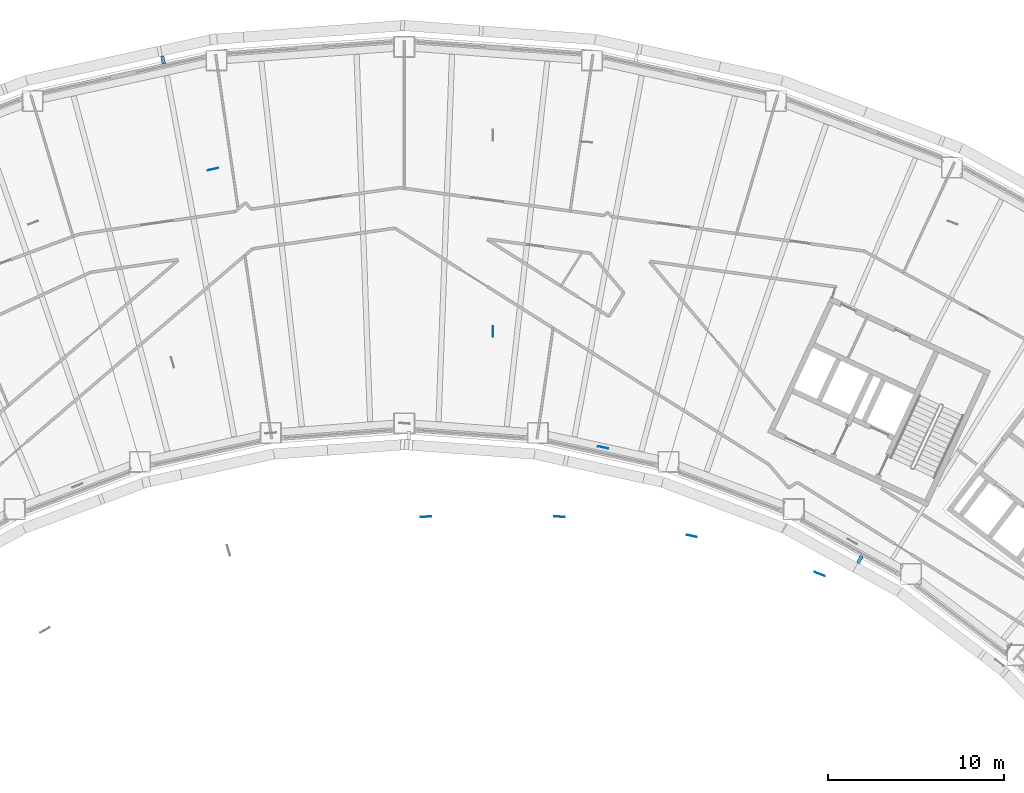
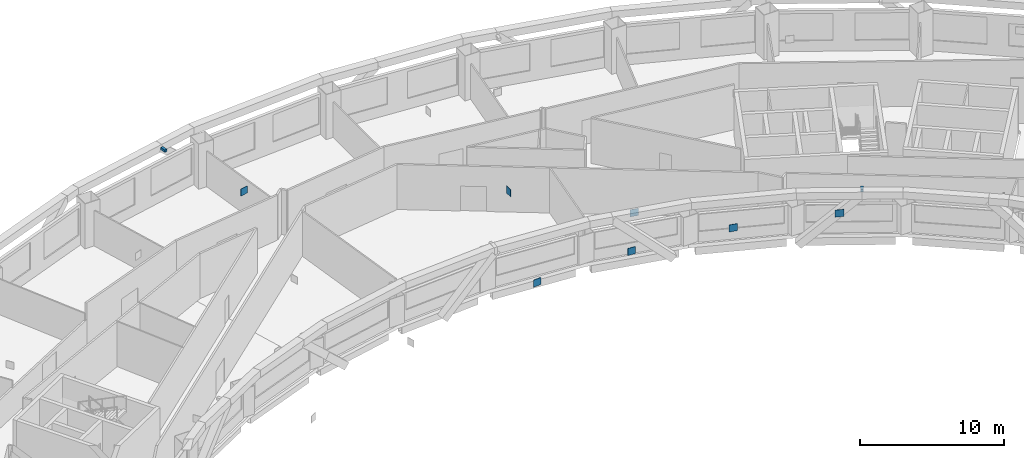
# One storey, part 12 of 19: 9 discrete accessories.
"""IFC4 building model written with IfcOpenShell, lengths in metres."""

import ifcopenshell
import ifcopenshell.guid

model = None  # the IFC model being written
_history = None  # IfcOwnerHistory: only IFC2X3 demands one
_inside = {}  # id of a spatial element -> (the spatial element, [elements in it])
_under = {}  # id of a project, library or spatial element -> (it, [spatial elements below it])
_declared = {}  # id of a project -> (the project, [libraries it declares])
_typed = {}  # id of a type object -> (the type object, [elements of that type])
_made_of = {}  # id of a material, layer set ... -> (it, [elements and type objects made of it])


def new_model(schema):
    """Start an empty IFC model of exactly this schema.

    Asked for "IFC4X3", IfcOpenShell would pick the latest addendum, in which some entities
    have other attributes; the version numbers below select the first issue.
    IFC2X3 requires an IfcOwnerHistory on every rooted entity: one is made here for all.
    """
    global model, _history
    if schema == "IFC4X3":
        model = ifcopenshell.file(schema_version=(4, 3, 0, 0))
    else:
        model = ifcopenshell.file(schema=schema)
    _inside.clear()
    _under.clear()
    _declared.clear()
    _typed.clear()
    _made_of.clear()
    _history = None
    if model.schema == "IFC2X3":
        org = make("IfcOrganization", Name="unknown")
        user = make(
            "IfcPersonAndOrganization",
            ThePerson=make("IfcPerson", FamilyName="unknown"),
            TheOrganization=org,
        )
        app = make(
            "IfcApplication",
            ApplicationDeveloper=org,
            Version="unknown",
            ApplicationFullName="unknown",
            ApplicationIdentifier="unknown",
        )
        _history = make(
            "IfcOwnerHistory",
            OwningUser=user,
            OwningApplication=app,
            ChangeAction="ADDED",
            CreationDate=0,
        )
    return model


def make(cls, **values):
    """One entity of the class cls with the attributes given. An attribute that is None is left unset."""
    return model.create_entity(
        cls, **{name: value for name, value in values.items() if value is not None}
    )


def rooted(cls, **values):
    """An entity with a GlobalId (a new one), such as an element, a storey or a relation."""
    return make(cls, GlobalId=ifcopenshell.guid.new(), OwnerHistory=_history, **values)


def si_unit(unit_type, name, prefix=None):
    """IfcSIUnit, for example si_unit("LENGTHUNIT", "METRE", prefix="MILLI")."""
    return make("IfcSIUnit", UnitType=unit_type, Prefix=prefix, Name=name)


def assignment(units):
    """IfcUnitAssignment: the units of a project."""
    return None if units is None else make("IfcUnitAssignment", Units=units)


def point(xyz):
    """IfcCartesianPoint."""
    return None if xyz is None else make("IfcCartesianPoint", Coordinates=xyz)


def direction(xyz):
    """IfcDirection."""
    return None if xyz is None else make("IfcDirection", DirectionRatios=xyz)


def frame(location, z_axis=None, x_axis=None):
    """IfcAxis2Placement3D, a coordinate frame: its origin and axes. An axis left out is left unset."""
    return make(
        "IfcAxis2Placement3D",
        Location=point(location),
        Axis=direction(z_axis),
        RefDirection=direction(x_axis),
    )


def frame_2d(location, x_axis=None):
    """IfcAxis2Placement2D, a coordinate frame in the plane: its origin and x axis."""
    return make(
        "IfcAxis2Placement2D", Location=point(location), RefDirection=direction(x_axis)
    )


def origin():
    """The frame at (0, 0, 0) with its axes left unset."""
    return frame((0.0, 0.0, 0.0))


def origin_2d():
    """The frame at (0, 0) in the plane with its x axis left unset."""
    return frame_2d((0.0, 0.0))


def place(relative_to, where):
    """IfcLocalPlacement: puts the frame where relative to a parent placement (None: the world)."""
    return make(
        "IfcLocalPlacement", PlacementRelTo=relative_to, RelativePlacement=where
    )


def context(
    kind, dimensions, precision=None, world=None, true_north=None, identifier=None
):
    """IfcGeometricRepresentationContext, for example the 3D "Model" context."""
    return make(
        "IfcGeometricRepresentationContext",
        ContextIdentifier=identifier,
        ContextType=kind,
        CoordinateSpaceDimension=dimensions,
        Precision=precision,
        WorldCoordinateSystem=world,
        TrueNorth=true_north,
    )


def subcontext(parent, identifier, kind, view, scale=None):
    """IfcGeometricRepresentationSubContext, for example "Body" below "Model"."""
    return make(
        "IfcGeometricRepresentationSubContext",
        ContextIdentifier=identifier,
        ContextType=kind,
        ParentContext=parent,
        TargetScale=scale,
        TargetView=view,
    )


def project(units=None, contexts=None):
    """IfcProject with its units and contexts."""
    return rooted(
        "IfcProject",
        Name="project",
        RepresentationContexts=contexts,
        UnitsInContext=assignment(units),
    )


def spatial(cls, under=None, at=None, **own):
    """A site, building, storey or space (cls), placed at a placement, below another one or the project."""
    s = rooted(cls, ObjectPlacement=at, **own)
    if under is not None:
        _under.setdefault(under.id(), (under, []))[1].append(s)
    return s


def profile(cls, at=None, kind="AREA", **sizes):
    """A parametric profile (cls). Its sizes go by their IFC names, for example OverallWidth=200.0."""
    return make(cls, ProfileType=kind, Position=at, **sizes)


def rectangle(**sizes):
    """IfcRectangleProfileDef."""
    return profile("IfcRectangleProfileDef", **sizes)


def extrude(swept, where, along, depth):
    """IfcExtrudedAreaSolid: the profile swept, set in the frame where, extruded along a direction by depth."""
    return make(
        "IfcExtrudedAreaSolid",
        SweptArea=swept,
        Position=where,
        ExtrudedDirection=direction(along),
        Depth=depth,
    )


def shape(context_of_items, identifier, shape_type, items):
    """IfcShapeRepresentation: the items that make up one representation, for example the "Body"."""
    return make(
        "IfcShapeRepresentation",
        ContextOfItems=context_of_items,
        RepresentationIdentifier=identifier,
        RepresentationType=shape_type,
        Items=items,
    )


def material(Name=None, Category=None):
    """IfcMaterial."""
    return make("IfcMaterial", Name=Name, Category=Category)


def made_of(thing, what):
    """Note that an element or type object is made of a material, layer set ...; save() writes the relation."""
    if what is not None:
        _made_of.setdefault(what.id(), (what, []))[1].append(thing)
    return thing


def type_object(cls, material=None, **own):
    """A type object (cls), such as IfcWallType, which elements share."""
    return made_of(rooted(cls, **own), material)


def element(
    cls,
    number,
    at=None,
    inside=None,
    cuts=None,
    type_object=None,
    material=None,
    context=None,
    identifier="Body",
    shape_type=None,
    held_by="IfcProductDefinitionShape",
    body=None,
    shapes=None,
    **own,
):
    """One element of the class cls, such as IfcWall. Its Tag is "e" and its number.

    at: its placement. inside: the storey or other place that contains it. cuts: it is an
    opening in that element (IfcRelVoidsElement). A single representation is given by context,
    identifier, shape_type and body (its items); several are given by shapes. held_by: the class
    of the entity that holds the representations. save() writes the other relations.
    """
    e = rooted(cls, Tag="e%d" % number, ObjectPlacement=at, **own)
    if body is not None:
        shapes = [shape(context, identifier, shape_type, body)]
    if shapes is not None:
        e.Representation = make(held_by, Representations=shapes)
    if inside is not None:
        _inside.setdefault(inside.id(), (inside, []))[1].append(e)
    if cuts is not None:
        rooted(
            "IfcRelVoidsElement", RelatingBuildingElement=cuts, RelatedOpeningElement=e
        )
    if type_object is not None:
        _typed.setdefault(type_object.id(), (type_object, []))[1].append(e)
    return made_of(e, material)


def aggregate(whole, parts):
    """IfcRelAggregates: a whole, such as a stair, and the parts it consists of."""
    return rooted("IfcRelAggregates", RelatingObject=whole, RelatedObjects=parts)


def save(model, path):
    """Write the relations noted so far, then the file.

    IfcRelAggregates (storeys below a building ...), IfcRelContainedInSpatialStructure (elements
    in a storey), IfcRelDefinesByType, IfcRelAssociatesMaterial and IfcRelDeclares: one each for
    every whole, place, type object, material and project.
    """
    for whole, parts in _under.values():
        aggregate(whole, parts)
    for where, things in _inside.values():
        rooted(
            "IfcRelContainedInSpatialStructure",
            RelatedElements=things,
            RelatingStructure=where,
        )
    for kind, things in _typed.values():
        rooted("IfcRelDefinesByType", RelatedObjects=things, RelatingType=kind)
    for what, things in _made_of.values():
        rooted("IfcRelAssociatesMaterial", RelatedObjects=things, RelatingMaterial=what)
    for by, libraries in _declared.values():
        rooted("IfcRelDeclares", RelatingContext=by, RelatedDefinitions=libraries)
    model.write(path)


model = new_model("IFC4")

# Units and contexts
model_context = context("Model", 3, precision=1e-05, world=origin(), true_north=direction((0.0, 1.0)))
body_context = subcontext(model_context, "Body", "Model", "MODEL_VIEW")
ifc_project = project(units=[si_unit("LENGTHUNIT", "METRE"), si_unit("AREAUNIT", "SQUARE_METRE"), si_unit("VOLUMEUNIT", "CUBIC_METRE"), si_unit("PLANEANGLEUNIT", "RADIAN"), si_unit("MASSUNIT", "GRAM", prefix="KILO")], contexts=[model_context])

# Site, building, storey
site_placement = place(None, origin())
site = spatial("IfcSite", under=ifc_project, at=site_placement, CompositionType="ELEMENT")
building_placement = place(site_placement, origin())
building = spatial("IfcBuilding", under=site, at=building_placement, Name="Tuul Gate Civic Tower", CompositionType="ELEMENT")
storey_placement = place(building_placement, frame((0.0, 0.0, 90.60009765625)))
storey = spatial("IfcBuildingStorey", under=building, at=storey_placement, Name="Level 20", CompositionType="ELEMENT", Elevation=90.60009765625)

# Discrete accessories
ifc_material_1 = material(Name="Steel S355", Category="steel")
discrete_accessory_type_1 = type_object("IfcDiscreteAccessoryType", Name="Gusset plate", PredefinedType="BRACKET", material=ifc_material_1)
for number, where, z_axis, x_axis, name in (
    (1, (9.8291015625, 2.55322265625, 2.796630859375), (0.0, 0.0, 1.0), (0.0, 1.0, 0.0), "Gusset plate"),
    (2, (-6.034423828125, 11.76611328125, 2.796630859375), (0.0, 0.0, 1.0), (0.976564607871, 0.215224456448, 0.0), "Gusset plate"),
    (3, (21.10791015625, -9.034912109375, 2.796142578125), (0.0, 0.0, 1.0), (-0.97656368755, 0.215228632292, 0.0), "Gusset plate"),
    (4, (6.04296875, -7.943603515625, 2.796142578125), (0.0, 0.0, 1.0), (-0.997381904937, -0.07231414595, 0.0), "Gusset plate"),
    (5, (13.614990234375, -7.943603515625, 2.796142578125), (0.0, 0.0, 1.0), (-0.997381904937, 0.07231414595, 0.0), "Gusset plate"),
    (6, (16.0869140625, -4.014404296875, 2.796142578125), (0.0, 0.0, 1.0), (-0.976591364495, 0.215103014376, 0.0), "Gusset plate"),
    (7, (28.364990234375, -11.194580078125, 2.796142578125), (0.0, 0.0, 1.0), (-0.935351057993, 0.35372079146, 0.0), "Gusset plate"),
):
    element("IfcDiscreteAccessory", number, at=place(storey_placement, frame(where, z_axis=z_axis, x_axis=x_axis)), inside=storey, type_object=discrete_accessory_type_1, Name=name, PredefinedType="BRACKET", context=body_context, shape_type="SweptSolid", body=[
        extrude(rectangle(XDim=0.60009765625, YDim=0.030029296875, at=origin_2d()), origin(), (0.0, 0.0, 1.0), 0.60009765625),
    ])
ifc_material_2 = material(Name="Stainless steel", Category="steel")
discrete_accessory_type_2 = type_object("IfcDiscreteAccessoryType", Name="Screen bracket", PredefinedType="BRACKET", material=ifc_material_2)
for number, where, z_axis, x_axis, name in (
    (8, (-8.873291015625, 17.95849609375, 3.75), (0.0, 0.0, 1.0), (-0.183848416855, 0.9829546071, 0.0), "Screen bracket 11"),
    (9, (30.6435546875, -10.366455078125, 3.75), (0.0, 0.0, 1.0), (-0.499369572353, -0.866389075536, 0.0), "Screen bracket 29"),
):
    element("IfcDiscreteAccessory", number, at=place(storey_placement, frame(where, z_axis=z_axis, x_axis=x_axis)), inside=storey, type_object=discrete_accessory_type_2, Name=name, PredefinedType="BRACKET", context=body_context, shape_type="SweptSolid", body=[
        extrude(rectangle(XDim=0.4501953125, YDim=0.199951171875, at=origin_2d()), origin(), (0.0, 0.0, 1.0), 0.199951171875),
    ])

save(model, "model.ifc")
